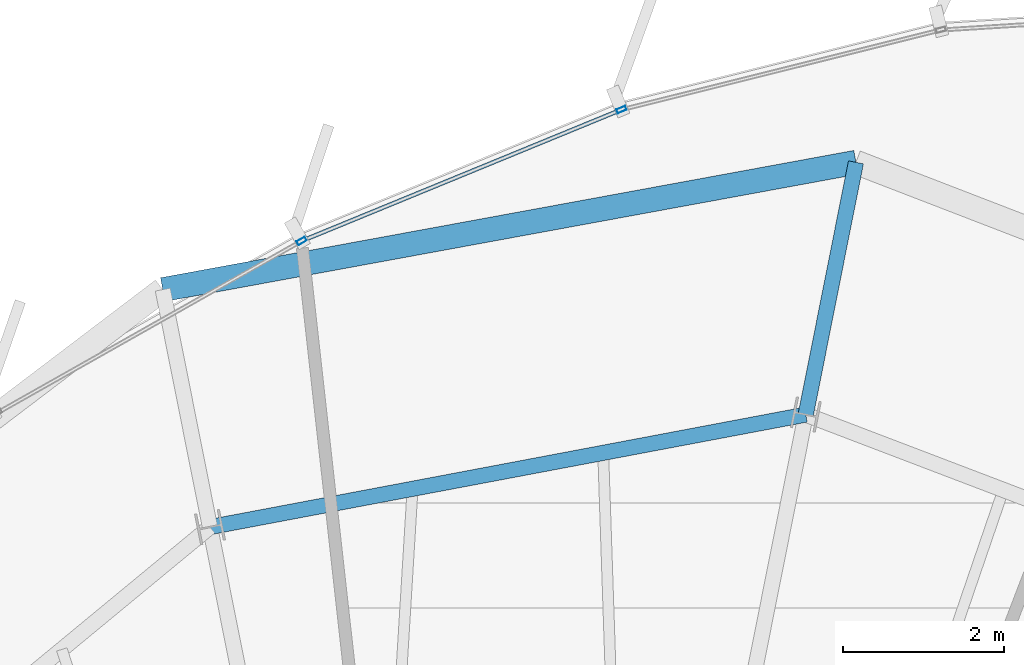
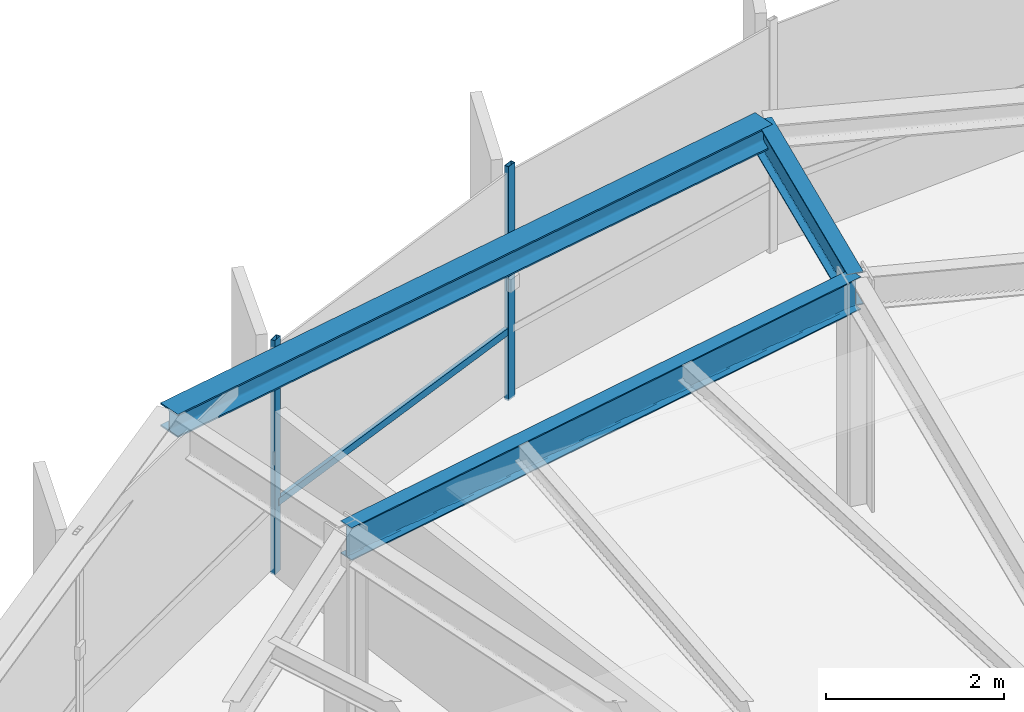
# One storey, part 22 of 33: 3 beams, 3 members, 1 element without a shape of its own.
"""IFC4 building model written with IfcOpenShell, lengths in metres."""

from ifc_helpers import new_model, si_unit, direction, frame, origin, origin_2d, place, context, subcontext, project, spatial, hollow_rectangle, i_section, extrude, source, transform, mapped, material, layer, layer_set, material_profile, profile_set, type_object, element, aggregate, save


model = new_model("IFC4")

# Units and contexts
model_context = context("Model", 3, precision=1e-05, world=origin(), true_north=direction((0.0, 1.0)))
body_context = subcontext(model_context, "Body", "Model", "MODEL_VIEW")
ifc_project = project(units=[si_unit("LENGTHUNIT", "METRE"), si_unit("AREAUNIT", "SQUARE_METRE"), si_unit("VOLUMEUNIT", "CUBIC_METRE"), si_unit("PLANEANGLEUNIT", "RADIAN"), si_unit("MASSUNIT", "GRAM", prefix="KILO"), si_unit("THERMODYNAMICTEMPERATUREUNIT", "KELVIN")], contexts=[model_context])

# Site, building, storey
site_placement = place(None, origin())
site = spatial("IfcSite", under=ifc_project, at=site_placement, CompositionType="ELEMENT")
building_placement = place(site_placement, origin())
building = spatial("IfcBuilding", under=site, at=building_placement, Name="Kethvar Cultural Tower", CompositionType="ELEMENT")
storey_placement = place(building_placement, frame((0.0, 0.0, 256.0)))
storey = spatial("IfcBuildingStorey", under=building, at=storey_placement, Name="L67", CompositionType="ELEMENT", Elevation=256.0)

# Beams
ifc_material_1 = material(Name="Steel S355J2", Category="steel")
ifc_material_profile_1 = material_profile(ifc_material_1, i_section(OverallWidth=0.18994140625, OverallDepth=0.449951171875, WebThickness=0.009521484375, FlangeThickness=0.0146484375, FilletRadius=0.02099609375, at=origin_2d()), Name="Steel S355J2 — IPE450")
ifc_profile_set_1 = profile_set([ifc_material_profile_1], Name="Steel S355J2 — IPE450")
beam_type_1 = type_object("IfcBeamType", Name="BM-IPE450", PredefinedType="BEAM", material=ifc_profile_set_1)
shared_shape_1 = source(origin(), body_context, "Body", "SweptSolid", [
    extrude(i_section(OverallWidth=0.18994140625, OverallDepth=0.449951171875, WebThickness=0.009521484375, FlangeThickness=0.0146484375, FilletRadius=0.02099609375, at=origin_2d()), origin(), (0.0, 0.0, 1.0), 3.199951171875),
])
beam_1_placement = place(storey_placement, frame((50.645263671875, 47.131591796875, 2.98291015625), z_axis=(0.195088965533, 0.980785550224, 0.0), x_axis=(-0.980785550224, 0.195088965533, 0.0)))
element("IfcBeam", 1, at=beam_1_placement, inside=storey, type_object=beam_type_1, Name="L67 Perimeter Cantilever Beam RC-04", PredefinedType="BEAM", context=body_context, shape_type="MappedRepresentation", body=[
    mapped(shared_shape_1, transform((0.0, 0.0, 0.0), scale=1.0)),
])
shared_shape_2 = source(origin(), body_context, "Body", "SweptSolid", [
    extrude(i_section(OverallWidth=0.18994140625, OverallDepth=0.449951171875, WebThickness=0.009521484375, FlangeThickness=0.0146484375, FilletRadius=0.02099609375, at=origin_2d()), origin(), (0.0, 0.0, 1.0), 7.543212890625),
])
beam_2_placement = place(storey_placement, frame((50.645263671875, 47.131591796875, 2.98291015625), z_axis=(-0.982646853086, -0.185486285532, 0.0), x_axis=(0.185486285532, -0.982646853086, 0.0)))
element("IfcBeam", 2, at=beam_2_placement, inside=storey, type_object=beam_type_1, Name="L67 Column Ring Tie Beam CR-04", PredefinedType="BEAM", context=body_context, shape_type="MappedRepresentation", body=[
    mapped(shared_shape_2, transform((0.0, 0.0, 0.0), scale=1.0)),
])
ifc_material_profile_2 = material_profile(ifc_material_1, i_section(OverallWidth=0.300048828125, OverallDepth=0.320068359375, WebThickness=0.011474609375, FlangeThickness=0.0205078125, FilletRadius=0.027099609375, at=origin_2d()), Name="Steel S355J2 — HEB320")
ifc_profile_set_2 = profile_set([ifc_material_profile_2], Name="Steel S355J2 — HEB320")
beam_type_2 = type_object("IfcBeamType", Name="BM-SP320", PredefinedType="SPANDREL", material=ifc_profile_set_2)
shared_shape_3 = source(origin(), body_context, "Body", "SweptSolid", [
    extrude(i_section(OverallWidth=0.300048828125, OverallDepth=0.320068359375, WebThickness=0.011474609375, FlangeThickness=0.0205078125, FilletRadius=0.027099609375, at=origin_2d()), origin(), (0.0, 0.0, 1.0), 8.7685546875),
])
beam_3_placement = place(storey_placement, frame((51.26953125, 50.27001953125, 3.048095703125), z_axis=(-0.983558371141, -0.180590505173, 0.0), x_axis=(0.180590505173, -0.983558371141, 0.0)))
element("IfcBeam", 3, at=beam_3_placement, inside=storey, type_object=beam_type_2, Name="L67 Perimeter Spandrel Beam SP-04", PredefinedType="SPANDREL", context=body_context, shape_type="MappedRepresentation", body=[
    mapped(shared_shape_3, transform((0.0, 0.0, 0.0), scale=1.0)),
])

# Curtain wall, members
ifc_material_2 = material(Name="Aluminium 6063-T6", Category="aluminium")
ifc_layer = layer(ifc_material_2, 0.179931640625, Name="Aluminium 6063-T6", Category="aluminium")
ifc_layer_set = layer_set([ifc_layer], Name="Aluminium 6063-T6 (180 mm)")
curtain_wall_type = type_object("IfcCurtainWallType", Name="CW-SYS-05-Z56", PredefinedType="NOTDEFINED", material=ifc_layer_set)
curtain_wall_placement = place(storey_placement, origin())
curtain_wall = element("IfcCurtainWall", 4, at=curtain_wall_placement, inside=storey, type_object=curtain_wall_type, Name="L67 Curtain Wall Run 01", PredefinedType="NOTDEFINED")
ifc_material_profile_3 = material_profile(ifc_material_2, hollow_rectangle(XDim=0.054931640625, YDim=0.1201171875, WallThickness=0.00390625, at=origin_2d()), Name="Aluminium 6063-T6 — RHS120x55x4")
ifc_profile_set_3 = profile_set([ifc_material_profile_3], Name="Aluminium 6063-T6 — RHS120x55x4")
member_type_1 = type_object("IfcMemberType", Name="CW-SYS-05-Z56-MUL", PredefinedType="MULLION", material=ifc_profile_set_3)
shared_shape_4 = source(origin(), body_context, "Body", "SweptSolid", [
    extrude(hollow_rectangle(XDim=0.054931640625, YDim=0.1201171875, WallThickness=0.00390625, at=origin_2d()), origin(), (0.0, 0.0, 1.0), 3.2099609375),
])
member_1_placement = place(storey_placement, frame((48.352783203125, 50.92578125, 0.0), z_axis=(0.0, 0.0, 1.0), x_axis=(0.379908256964, -0.925024170652, 0.0)))
member_1 = element("IfcMember", 5, at=member_1_placement, type_object=member_type_1, Name="CW-L67-R01 Mullion 5", PredefinedType="MULLION", context=body_context, shape_type="MappedRepresentation", body=[
    mapped(shared_shape_4, transform((0.0, 0.0, 0.0), scale=1.0)),
])
member_2_placement = place(storey_placement, frame((44.373291015625, 49.292236328125, 0.0), z_axis=(0.0, 0.0, 1.0), x_axis=(0.491922189561, -0.870639167174, 0.0)))
member_2 = element("IfcMember", 6, at=member_2_placement, type_object=member_type_1, Name="CW-L67-R01 Mullion 6", PredefinedType="MULLION", context=body_context, shape_type="MappedRepresentation", body=[
    mapped(shared_shape_4, transform((0.0, 0.0, 0.0), scale=1.0)),
])
ifc_material_profile_4 = material_profile(ifc_material_2, hollow_rectangle(XDim=0.050048828125, YDim=0.10009765625, WallThickness=0.00390625, at=origin_2d()), Name="Aluminium 6063-T6 — RHS100x50x4")
ifc_profile_set_4 = profile_set([ifc_material_profile_4], Name="Aluminium 6063-T6 — RHS100x50x4")
member_type_2 = type_object("IfcMemberType", Name="CW-SYS-05-Z56-TRN", PredefinedType="USERDEFINED", material=ifc_profile_set_4)
shared_shape_5 = source(origin(), body_context, "Body", "SweptSolid", [
    extrude(hollow_rectangle(XDim=0.050048828125, YDim=0.10009765625, WallThickness=0.00390625, at=origin_2d()), origin(), (0.0, 0.0, 1.0), 4.235107421875),
])
member_3_placement = place(storey_placement, frame((48.316162109375, 50.910888671875, 0.949951171875), z_axis=(-0.925026330232, -0.379902998643, 0.0), x_axis=(0.379902998643, -0.925026330232, 0.0)))
member_3 = element("IfcMember", 7, at=member_3_placement, type_object=member_type_2, Name="CW-L67-R01 Transom 5", ObjectType="TRANSOM", PredefinedType="USERDEFINED", context=body_context, shape_type="MappedRepresentation", body=[
    mapped(shared_shape_5, transform((0.0, 0.0, 0.0), scale=1.0)),
])
aggregate(curtain_wall, [member_1, member_2, member_3])

save(model, "model.ifc")
